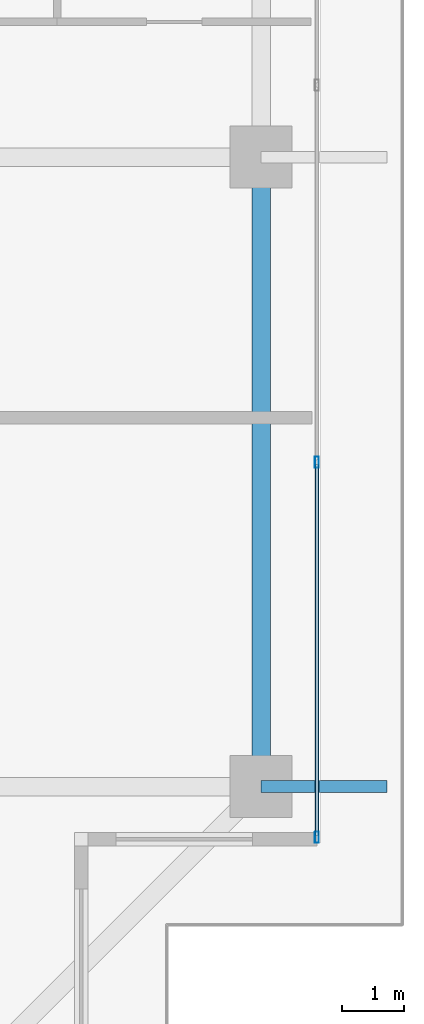
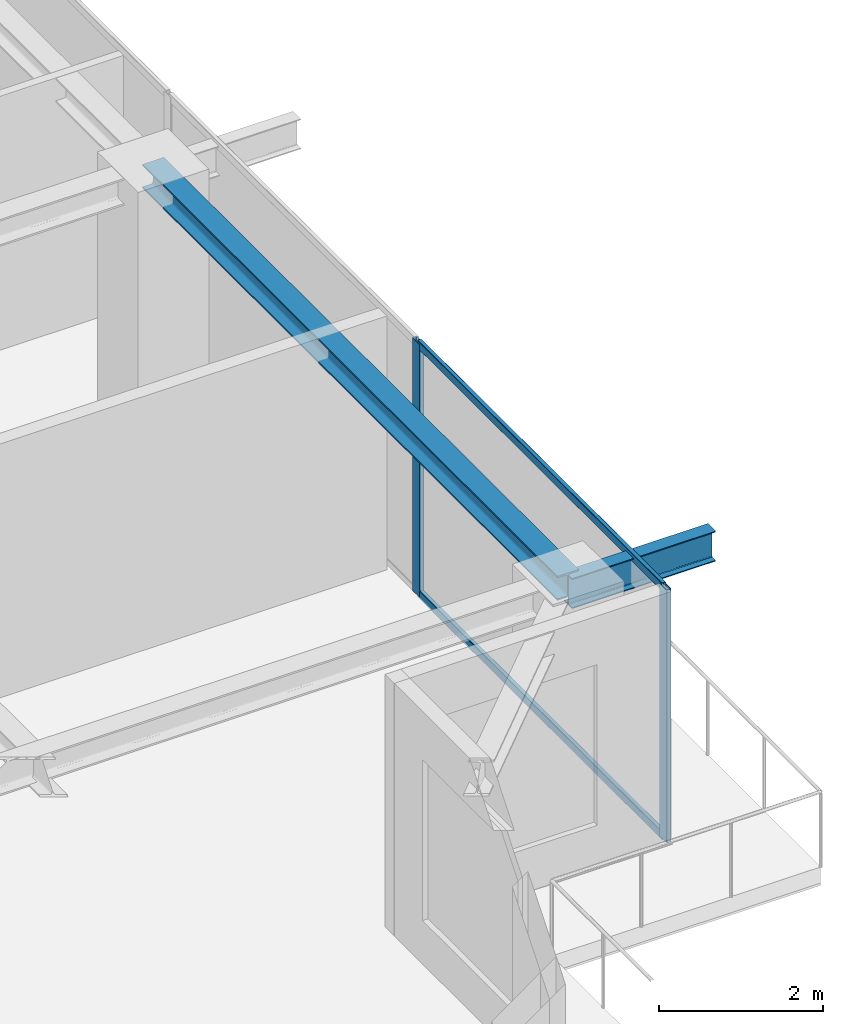
# One storey, part 13 of 37: 4 members, 2 beams, 1 element without a shape of its own.
"""IFC4 building model written with IfcOpenShell, lengths in metres."""

import ifcopenshell
import ifcopenshell.guid

model = None  # the IFC model being written
_history = None  # IfcOwnerHistory: only IFC2X3 demands one
_inside = {}  # id of a spatial element -> (the spatial element, [elements in it])
_under = {}  # id of a project, library or spatial element -> (it, [spatial elements below it])
_declared = {}  # id of a project -> (the project, [libraries it declares])
_typed = {}  # id of a type object -> (the type object, [elements of that type])
_made_of = {}  # id of a material, layer set ... -> (it, [elements and type objects made of it])


def new_model(schema):
    """Start an empty IFC model of exactly this schema.

    Asked for "IFC4X3", IfcOpenShell would pick the latest addendum, in which some entities
    have other attributes; the version numbers below select the first issue.
    IFC2X3 requires an IfcOwnerHistory on every rooted entity: one is made here for all.
    """
    global model, _history
    if schema == "IFC4X3":
        model = ifcopenshell.file(schema_version=(4, 3, 0, 0))
    else:
        model = ifcopenshell.file(schema=schema)
    _inside.clear()
    _under.clear()
    _declared.clear()
    _typed.clear()
    _made_of.clear()
    _history = None
    if model.schema == "IFC2X3":
        org = make("IfcOrganization", Name="unknown")
        user = make(
            "IfcPersonAndOrganization",
            ThePerson=make("IfcPerson", FamilyName="unknown"),
            TheOrganization=org,
        )
        app = make(
            "IfcApplication",
            ApplicationDeveloper=org,
            Version="unknown",
            ApplicationFullName="unknown",
            ApplicationIdentifier="unknown",
        )
        _history = make(
            "IfcOwnerHistory",
            OwningUser=user,
            OwningApplication=app,
            ChangeAction="ADDED",
            CreationDate=0,
        )
    return model


def make(cls, **values):
    """One entity of the class cls with the attributes given. An attribute that is None is left unset."""
    return model.create_entity(
        cls, **{name: value for name, value in values.items() if value is not None}
    )


def rooted(cls, **values):
    """An entity with a GlobalId (a new one), such as an element, a storey or a relation."""
    return make(cls, GlobalId=ifcopenshell.guid.new(), OwnerHistory=_history, **values)


def si_unit(unit_type, name, prefix=None):
    """IfcSIUnit, for example si_unit("LENGTHUNIT", "METRE", prefix="MILLI")."""
    return make("IfcSIUnit", UnitType=unit_type, Prefix=prefix, Name=name)


def assignment(units):
    """IfcUnitAssignment: the units of a project."""
    return None if units is None else make("IfcUnitAssignment", Units=units)


def point(xyz):
    """IfcCartesianPoint."""
    return None if xyz is None else make("IfcCartesianPoint", Coordinates=xyz)


def direction(xyz):
    """IfcDirection."""
    return None if xyz is None else make("IfcDirection", DirectionRatios=xyz)


def frame(location, z_axis=None, x_axis=None):
    """IfcAxis2Placement3D, a coordinate frame: its origin and axes. An axis left out is left unset."""
    return make(
        "IfcAxis2Placement3D",
        Location=point(location),
        Axis=direction(z_axis),
        RefDirection=direction(x_axis),
    )


def frame_2d(location, x_axis=None):
    """IfcAxis2Placement2D, a coordinate frame in the plane: its origin and x axis."""
    return make(
        "IfcAxis2Placement2D", Location=point(location), RefDirection=direction(x_axis)
    )


def origin():
    """The frame at (0, 0, 0) with its axes left unset."""
    return frame((0.0, 0.0, 0.0))


def origin_2d():
    """The frame at (0, 0) in the plane with its x axis left unset."""
    return frame_2d((0.0, 0.0))


def place(relative_to, where):
    """IfcLocalPlacement: puts the frame where relative to a parent placement (None: the world)."""
    return make(
        "IfcLocalPlacement", PlacementRelTo=relative_to, RelativePlacement=where
    )


def context(
    kind, dimensions, precision=None, world=None, true_north=None, identifier=None
):
    """IfcGeometricRepresentationContext, for example the 3D "Model" context."""
    return make(
        "IfcGeometricRepresentationContext",
        ContextIdentifier=identifier,
        ContextType=kind,
        CoordinateSpaceDimension=dimensions,
        Precision=precision,
        WorldCoordinateSystem=world,
        TrueNorth=true_north,
    )


def subcontext(parent, identifier, kind, view, scale=None):
    """IfcGeometricRepresentationSubContext, for example "Body" below "Model"."""
    return make(
        "IfcGeometricRepresentationSubContext",
        ContextIdentifier=identifier,
        ContextType=kind,
        ParentContext=parent,
        TargetScale=scale,
        TargetView=view,
    )


def project(units=None, contexts=None):
    """IfcProject with its units and contexts."""
    return rooted(
        "IfcProject",
        Name="project",
        RepresentationContexts=contexts,
        UnitsInContext=assignment(units),
    )


def spatial(cls, under=None, at=None, **own):
    """A site, building, storey or space (cls), placed at a placement, below another one or the project."""
    s = rooted(cls, ObjectPlacement=at, **own)
    if under is not None:
        _under.setdefault(under.id(), (under, []))[1].append(s)
    return s


def profile(cls, at=None, kind="AREA", **sizes):
    """A parametric profile (cls). Its sizes go by their IFC names, for example OverallWidth=200.0."""
    return make(cls, ProfileType=kind, Position=at, **sizes)


def hollow_rectangle(**sizes):
    """IfcRectangleHollowProfileDef."""
    return profile("IfcRectangleHollowProfileDef", **sizes)


def i_section(**sizes):
    """IfcIShapeProfileDef."""
    return profile("IfcIShapeProfileDef", **sizes)


def extrude(swept, where, along, depth):
    """IfcExtrudedAreaSolid: the profile swept, set in the frame where, extruded along a direction by depth."""
    return make(
        "IfcExtrudedAreaSolid",
        SweptArea=swept,
        Position=where,
        ExtrudedDirection=direction(along),
        Depth=depth,
    )


def shape(context_of_items, identifier, shape_type, items):
    """IfcShapeRepresentation: the items that make up one representation, for example the "Body"."""
    return make(
        "IfcShapeRepresentation",
        ContextOfItems=context_of_items,
        RepresentationIdentifier=identifier,
        RepresentationType=shape_type,
        Items=items,
    )


def source(mapping_origin, context_of_items, identifier, shape_type, items):
    """IfcRepresentationMap: a shape defined once, which mapped items show again and again."""
    return make(
        "IfcRepresentationMap",
        MappingOrigin=mapping_origin,
        MappedRepresentation=shape(context_of_items, identifier, shape_type, items),
    )


def transform(
    local_origin,
    x_axis=None,
    y_axis=None,
    z_axis=None,
    scale=None,
    scale2=None,
    scale3=None,
    uniform=True,
):
    """IfcCartesianTransformationOperator3D, or its non-uniform kind. x_axis, y_axis, z_axis: its Axis1, 2, 3."""
    if uniform:
        return make(
            "IfcCartesianTransformationOperator3D",
            Axis1=direction(x_axis),
            Axis2=direction(y_axis),
            LocalOrigin=point(local_origin),
            Scale=scale,
            Axis3=direction(z_axis),
        )
    return make(
        "IfcCartesianTransformationOperator3DnonUniform",
        Axis1=direction(x_axis),
        Axis2=direction(y_axis),
        LocalOrigin=point(local_origin),
        Scale=scale,
        Axis3=direction(z_axis),
        Scale2=scale2,
        Scale3=scale3,
    )


def mapped(mapping_source, mapping_target):
    """IfcMappedItem: shows the shape of a source again, moved by a transform."""
    return make(
        "IfcMappedItem", MappingSource=mapping_source, MappingTarget=mapping_target
    )


def material(Name=None, Category=None):
    """IfcMaterial."""
    return make("IfcMaterial", Name=Name, Category=Category)


def layer(
    of_material, thickness, ventilated=None, Name=None, Category=None, Priority=None
):
    """IfcMaterialLayer: one layer of a wall or slab, of a material (None: an air gap)."""
    return make(
        "IfcMaterialLayer",
        Material=of_material,
        LayerThickness=thickness,
        IsVentilated=ventilated,
        Name=Name,
        Category=Category,
        Priority=Priority,
    )


def layer_set(layers, Name=None):
    """IfcMaterialLayerSet."""
    return make("IfcMaterialLayerSet", MaterialLayers=layers, LayerSetName=Name)


def material_profile(
    of_material, cross_section, Name=None, Category=None, Priority=None
):
    """IfcMaterialProfile: a cross section and its material."""
    return make(
        "IfcMaterialProfile",
        Name=Name,
        Material=of_material,
        Profile=cross_section,
        Priority=Priority,
        Category=Category,
    )


def profile_set(profiles, Name=None, composite=None):
    """IfcMaterialProfileSet."""
    return make(
        "IfcMaterialProfileSet",
        Name=Name,
        MaterialProfiles=profiles,
        CompositeProfile=composite,
    )


def made_of(thing, what):
    """Note that an element or type object is made of a material, layer set ...; save() writes the relation."""
    if what is not None:
        _made_of.setdefault(what.id(), (what, []))[1].append(thing)
    return thing


def type_object(cls, material=None, **own):
    """A type object (cls), such as IfcWallType, which elements share."""
    return made_of(rooted(cls, **own), material)


def element(
    cls,
    number,
    at=None,
    inside=None,
    cuts=None,
    type_object=None,
    material=None,
    context=None,
    identifier="Body",
    shape_type=None,
    held_by="IfcProductDefinitionShape",
    body=None,
    shapes=None,
    **own,
):
    """One element of the class cls, such as IfcWall. Its Tag is "e" and its number.

    at: its placement. inside: the storey or other place that contains it. cuts: it is an
    opening in that element (IfcRelVoidsElement). A single representation is given by context,
    identifier, shape_type and body (its items); several are given by shapes. held_by: the class
    of the entity that holds the representations. save() writes the other relations.
    """
    e = rooted(cls, Tag="e%d" % number, ObjectPlacement=at, **own)
    if body is not None:
        shapes = [shape(context, identifier, shape_type, body)]
    if shapes is not None:
        e.Representation = make(held_by, Representations=shapes)
    if inside is not None:
        _inside.setdefault(inside.id(), (inside, []))[1].append(e)
    if cuts is not None:
        rooted(
            "IfcRelVoidsElement", RelatingBuildingElement=cuts, RelatedOpeningElement=e
        )
    if type_object is not None:
        _typed.setdefault(type_object.id(), (type_object, []))[1].append(e)
    return made_of(e, material)


def aggregate(whole, parts):
    """IfcRelAggregates: a whole, such as a stair, and the parts it consists of."""
    return rooted("IfcRelAggregates", RelatingObject=whole, RelatedObjects=parts)


def save(model, path):
    """Write the relations noted so far, then the file.

    IfcRelAggregates (storeys below a building ...), IfcRelContainedInSpatialStructure (elements
    in a storey), IfcRelDefinesByType, IfcRelAssociatesMaterial and IfcRelDeclares: one each for
    every whole, place, type object, material and project.
    """
    for whole, parts in _under.values():
        aggregate(whole, parts)
    for where, things in _inside.values():
        rooted(
            "IfcRelContainedInSpatialStructure",
            RelatedElements=things,
            RelatingStructure=where,
        )
    for kind, things in _typed.values():
        rooted("IfcRelDefinesByType", RelatedObjects=things, RelatingType=kind)
    for what, things in _made_of.values():
        rooted("IfcRelAssociatesMaterial", RelatedObjects=things, RelatingMaterial=what)
    for by, libraries in _declared.values():
        rooted("IfcRelDeclares", RelatingContext=by, RelatedDefinitions=libraries)
    model.write(path)


model = new_model("IFC4")

# Units and contexts
model_context = context("Model", 3, precision=1e-05, world=origin(), true_north=direction((0.0, 1.0)))
body_context = subcontext(model_context, "Body", "Model", "MODEL_VIEW")
ifc_project = project(units=[si_unit("LENGTHUNIT", "METRE"), si_unit("AREAUNIT", "SQUARE_METRE"), si_unit("VOLUMEUNIT", "CUBIC_METRE"), si_unit("PLANEANGLEUNIT", "RADIAN"), si_unit("MASSUNIT", "GRAM", prefix="KILO")], contexts=[model_context])

# Site, building, storey
site_placement = place(None, origin())
site = spatial("IfcSite", under=ifc_project, at=site_placement, CompositionType="ELEMENT")
building_placement = place(site_placement, origin())
building = spatial("IfcBuilding", under=site, at=building_placement, Name="Serunith Strait Residences", CompositionType="ELEMENT")
storey_placement = place(building_placement, frame((0.0, 0.0, 317.75)))
storey = spatial("IfcBuildingStorey", under=building, at=storey_placement, Name="L79", CompositionType="ELEMENT", Elevation=317.75)

# Beams
ifc_material_1 = material(Name="Steel S355J2", Category="steel")
ifc_material_profile_1 = material_profile(ifc_material_1, i_section(OverallWidth=0.300048828125, OverallDepth=0.360107421875, WebThickness=0.012451171875, FlangeThickness=0.0224609375, FilletRadius=0.027099609375, at=origin_2d()), Name="HEB 360")
ifc_profile_set_1 = profile_set([ifc_material_profile_1], Name="Steel S355J2")
beam_type_1 = type_object("IfcBeamType", Name="BM-HEB360", PredefinedType="BEAM", material=ifc_profile_set_1)
shared_shape_1 = source(origin(), body_context, "Body", "SweptSolid", [
    extrude(i_section(OverallWidth=0.300048828125, OverallDepth=0.360107421875, WebThickness=0.012451171875, FlangeThickness=0.0224609375, FilletRadius=0.027099609375, at=origin_2d()), origin(), (0.0, 0.0, 1.0), 10.14990234375),
])
beam_1_placement = place(storey_placement, frame((54.699951171875, 10.85009765625, 3.60693359375), z_axis=(0.0, 1.0, 0.0), x_axis=(-1.0, 0.0, 0.0)))
element("IfcBeam", 1, at=beam_1_placement, inside=storey, type_object=beam_type_1, Name="L79 Perimeter Ring Beam 05", PredefinedType="BEAM", context=body_context, shape_type="MappedRepresentation", body=[
    mapped(shared_shape_1, transform((0.0, 0.0, 0.0), scale=1.0)),
])
ifc_material_profile_2 = material_profile(ifc_material_1, i_section(OverallWidth=0.18994140625, OverallDepth=0.449951171875, WebThickness=0.009521484375, FlangeThickness=0.0146484375, FilletRadius=0.02099609375, at=origin_2d()), Name="IPE 450")
ifc_profile_set_2 = profile_set([ifc_material_profile_2], Name="Steel S355J2")
beam_type_2 = type_object("IfcBeamType", Name="BM-IPE450", PredefinedType="JOIST", material=ifc_profile_set_2)
shared_shape_2 = source(origin(), body_context, "Body", "SweptSolid", [
    extrude(i_section(OverallWidth=0.18994140625, OverallDepth=0.449951171875, WebThickness=0.009521484375, FlangeThickness=0.0146484375, FilletRadius=0.02099609375, at=origin_2d()), origin(), (0.0, 0.0, 1.0), 2.030029296875),
])
beam_2_placement = place(storey_placement, frame((54.699951171875, 10.85009765625, 3.531982421875), z_axis=(1.0, 0.0, 0.0), x_axis=(0.0, 1.0, 0.0)))
element("IfcBeam", 2, at=beam_2_placement, inside=storey, type_object=beam_type_2, Name="L80 Cantilevered Balcony Rib TC-E1", PredefinedType="JOIST", context=body_context, shape_type="MappedRepresentation", body=[
    mapped(shared_shape_2, transform((0.0, 0.0, 0.0), scale=1.0)),
])

# Curtain wall, members
ifc_material_2 = material(Name="Brushed Stainless-Silver Aluminium", Category="aluminium")
ifc_layer = layer(ifc_material_2, 0.199951171875, Name="Brushed Stainless-Silver Aluminium")
ifc_layer_set = layer_set([ifc_layer], Name="Brushed Stainless-Silver Aluminium")
curtain_wall_type = type_object("IfcCurtainWallType", Name="CW-SYS5", PredefinedType="NOTDEFINED", material=ifc_layer_set)
curtain_wall_placement = place(storey_placement, origin())
curtain_wall = element("IfcCurtainWall", 3, at=curtain_wall_placement, inside=storey, type_object=curtain_wall_type, Name="L79 E Unitised Fritted Curtain Wall", PredefinedType="NOTDEFINED")
ifc_material_profile_3 = material_profile(ifc_material_2, hollow_rectangle(XDim=0.06005859375, YDim=0.1201171875, WallThickness=0.00341796875, InnerFilletRadius=0.00537109375, OuterFilletRadius=0.0087890625, at=origin_2d()), Name="ALU 120x60x3.5")
ifc_profile_set_3 = profile_set([ifc_material_profile_3], Name="Brushed Stainless-Silver Aluminium")
member_type_1 = type_object("IfcMemberType", Name="CW-SYS5-TRAN", PredefinedType="USERDEFINED", material=ifc_profile_set_3)
shared_shape_3 = source(origin(), body_context, "Body", "SweptSolid", [
    extrude(hollow_rectangle(XDim=0.06005859375, YDim=0.1201171875, WallThickness=0.00341796875, InnerFilletRadius=0.00537109375, OuterFilletRadius=0.0087890625, at=origin_2d()), origin(), (0.0, 0.0, 1.0), 5.982666015625),
])
member_1_placement = place(storey_placement, frame((55.60009765625, 10.06494140625, 0.030029296875), z_axis=(0.0, 1.0, 0.0), x_axis=(-1.0, 0.0, 0.0)))
member_1 = element("IfcMember", 4, at=member_1_placement, type_object=member_type_1, Name="CW-5 transom 1.1", ObjectType="TRANSOM", PredefinedType="USERDEFINED", context=body_context, shape_type="MappedRepresentation", body=[
    mapped(shared_shape_3, transform((0.0, 0.0, 0.0), scale=1.0)),
])
member_2_placement = place(storey_placement, frame((55.60009765625, 10.06494140625, 3.7451171875), z_axis=(0.0, 1.0, 0.0), x_axis=(-1.0, 0.0, 0.0)))
member_2 = element("IfcMember", 5, at=member_2_placement, type_object=member_type_1, Name="CW-5 transom 1.2", ObjectType="TRANSOM", PredefinedType="USERDEFINED", context=body_context, shape_type="MappedRepresentation", body=[
    mapped(shared_shape_3, transform((0.0, 0.0, 0.0), scale=1.0)),
])
ifc_material_profile_4 = material_profile(ifc_material_2, hollow_rectangle(XDim=0.06494140625, YDim=0.179931640625, WallThickness=0.00341796875, InnerFilletRadius=0.00537109375, OuterFilletRadius=0.0087890625, at=origin_2d()), Name="ALU 180x65x3.5")
ifc_profile_set_4 = profile_set([ifc_material_profile_4], Name="Brushed Stainless-Silver Aluminium")
member_type_2 = type_object("IfcMemberType", Name="CW-SYS5-MULL", PredefinedType="MULLION", material=ifc_profile_set_4)
shared_shape_4 = source(origin(), body_context, "Body", "SweptSolid", [
    extrude(hollow_rectangle(XDim=0.06494140625, YDim=0.179931640625, WallThickness=0.00341796875, InnerFilletRadius=0.00537109375, OuterFilletRadius=0.0087890625, at=origin_2d()), origin(), (0.0, 0.0, 1.0), 3.77490234375),
])
member_3_placement = place(storey_placement, frame((55.60009765625, 10.032470703125, 0.0), z_axis=(0.0, 0.0, 1.0), x_axis=(-1.0, 0.0, 0.0)))
member_3 = element("IfcMember", 6, at=member_3_placement, type_object=member_type_2, Name="CW-5 mullion 1", PredefinedType="MULLION", context=body_context, shape_type="MappedRepresentation", body=[
    mapped(shared_shape_4, transform((0.0, 0.0, 0.0), scale=1.0)),
])
member_4_placement = place(storey_placement, frame((55.60009765625, 16.080078125, 0.0), z_axis=(0.0, 0.0, 1.0), x_axis=(-1.0, 0.0, 0.0)))
member_4 = element("IfcMember", 7, at=member_4_placement, type_object=member_type_2, Name="CW-5 mullion 2", PredefinedType="MULLION", context=body_context, shape_type="MappedRepresentation", body=[
    mapped(shared_shape_4, transform((0.0, 0.0, 0.0), scale=1.0)),
])
aggregate(curtain_wall, [member_3, member_4, member_1, member_2])

save(model, "model.ifc")
